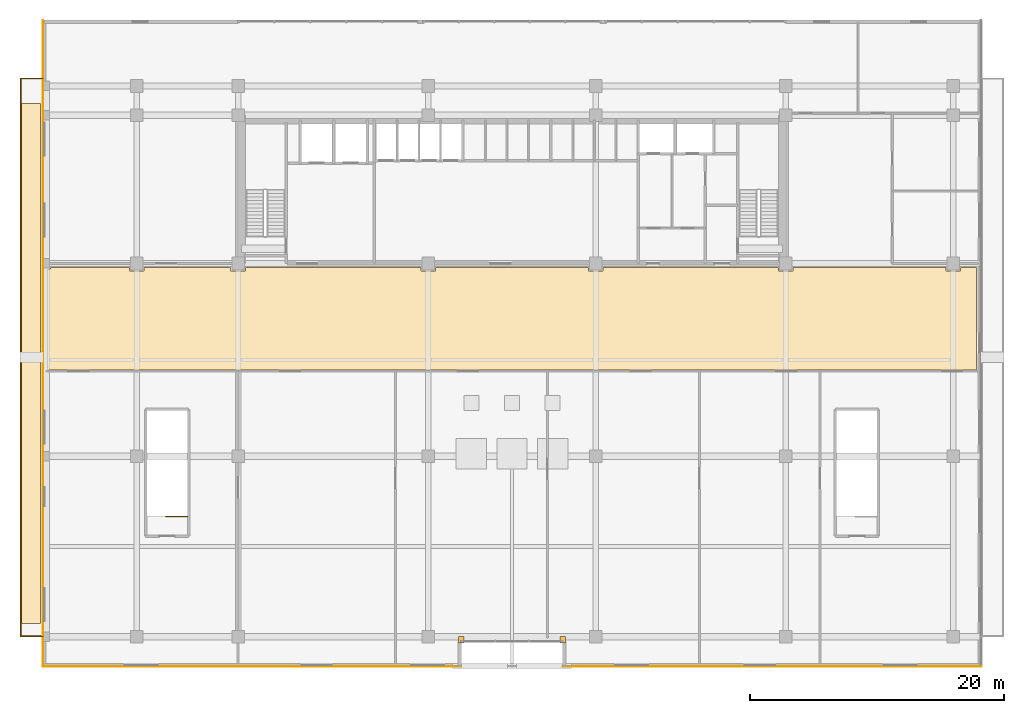
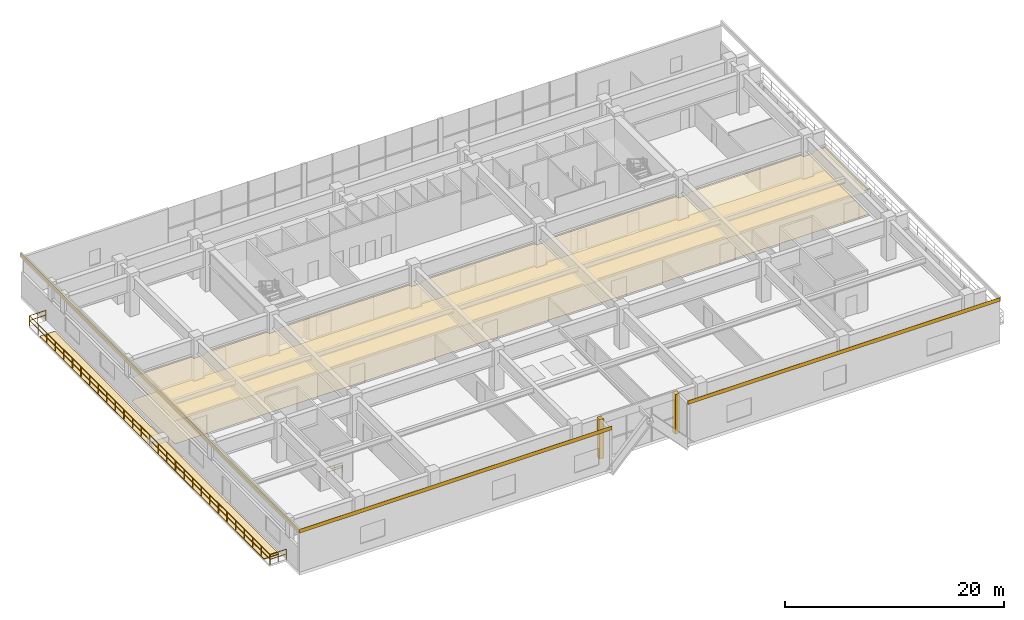
# One storey, part 15 of 17: 8 coverings, 4 railings.
"""IFC4 building model written with IfcOpenShell, lengths in metres."""

import ifcopenshell
import ifcopenshell.guid

model = None  # the IFC model being written
_history = None  # IfcOwnerHistory: only IFC2X3 demands one
_inside = {}  # id of a spatial element -> (the spatial element, [elements in it])
_under = {}  # id of a project, library or spatial element -> (it, [spatial elements below it])
_declared = {}  # id of a project -> (the project, [libraries it declares])
_typed = {}  # id of a type object -> (the type object, [elements of that type])
_made_of = {}  # id of a material, layer set ... -> (it, [elements and type objects made of it])


def new_model(schema):
    """Start an empty IFC model of exactly this schema.

    Asked for "IFC4X3", IfcOpenShell would pick the latest addendum, in which some entities
    have other attributes; the version numbers below select the first issue.
    IFC2X3 requires an IfcOwnerHistory on every rooted entity: one is made here for all.
    """
    global model, _history
    if schema == "IFC4X3":
        model = ifcopenshell.file(schema_version=(4, 3, 0, 0))
    else:
        model = ifcopenshell.file(schema=schema)
    _inside.clear()
    _under.clear()
    _declared.clear()
    _typed.clear()
    _made_of.clear()
    _history = None
    if model.schema == "IFC2X3":
        org = make("IfcOrganization", Name="unknown")
        user = make(
            "IfcPersonAndOrganization",
            ThePerson=make("IfcPerson", FamilyName="unknown"),
            TheOrganization=org,
        )
        app = make(
            "IfcApplication",
            ApplicationDeveloper=org,
            Version="unknown",
            ApplicationFullName="unknown",
            ApplicationIdentifier="unknown",
        )
        _history = make(
            "IfcOwnerHistory",
            OwningUser=user,
            OwningApplication=app,
            ChangeAction="ADDED",
            CreationDate=0,
        )
    return model


def make(cls, **values):
    """One entity of the class cls with the attributes given. An attribute that is None is left unset."""
    return model.create_entity(
        cls, **{name: value for name, value in values.items() if value is not None}
    )


def rooted(cls, **values):
    """An entity with a GlobalId (a new one), such as an element, a storey or a relation."""
    return make(cls, GlobalId=ifcopenshell.guid.new(), OwnerHistory=_history, **values)


def si_unit(unit_type, name, prefix=None):
    """IfcSIUnit, for example si_unit("LENGTHUNIT", "METRE", prefix="MILLI")."""
    return make("IfcSIUnit", UnitType=unit_type, Prefix=prefix, Name=name)


def assignment(units):
    """IfcUnitAssignment: the units of a project."""
    return None if units is None else make("IfcUnitAssignment", Units=units)


def point(xyz):
    """IfcCartesianPoint."""
    return None if xyz is None else make("IfcCartesianPoint", Coordinates=xyz)


def direction(xyz):
    """IfcDirection."""
    return None if xyz is None else make("IfcDirection", DirectionRatios=xyz)


def frame(location, z_axis=None, x_axis=None):
    """IfcAxis2Placement3D, a coordinate frame: its origin and axes. An axis left out is left unset."""
    return make(
        "IfcAxis2Placement3D",
        Location=point(location),
        Axis=direction(z_axis),
        RefDirection=direction(x_axis),
    )


def frame_2d(location, x_axis=None):
    """IfcAxis2Placement2D, a coordinate frame in the plane: its origin and x axis."""
    return make(
        "IfcAxis2Placement2D", Location=point(location), RefDirection=direction(x_axis)
    )


def origin():
    """The frame at (0, 0, 0) with its axes left unset."""
    return frame((0.0, 0.0, 0.0))


def origin_2d():
    """The frame at (0, 0) in the plane with its x axis left unset."""
    return frame_2d((0.0, 0.0))


def place(relative_to, where):
    """IfcLocalPlacement: puts the frame where relative to a parent placement (None: the world)."""
    return make(
        "IfcLocalPlacement", PlacementRelTo=relative_to, RelativePlacement=where
    )


def context(
    kind, dimensions, precision=None, world=None, true_north=None, identifier=None
):
    """IfcGeometricRepresentationContext, for example the 3D "Model" context."""
    return make(
        "IfcGeometricRepresentationContext",
        ContextIdentifier=identifier,
        ContextType=kind,
        CoordinateSpaceDimension=dimensions,
        Precision=precision,
        WorldCoordinateSystem=world,
        TrueNorth=true_north,
    )


def subcontext(parent, identifier, kind, view, scale=None):
    """IfcGeometricRepresentationSubContext, for example "Body" below "Model"."""
    return make(
        "IfcGeometricRepresentationSubContext",
        ContextIdentifier=identifier,
        ContextType=kind,
        ParentContext=parent,
        TargetScale=scale,
        TargetView=view,
    )


def project(units=None, contexts=None):
    """IfcProject with its units and contexts."""
    return rooted(
        "IfcProject",
        Name="project",
        RepresentationContexts=contexts,
        UnitsInContext=assignment(units),
    )


def spatial(cls, under=None, at=None, **own):
    """A site, building, storey or space (cls), placed at a placement, below another one or the project."""
    s = rooted(cls, ObjectPlacement=at, **own)
    if under is not None:
        _under.setdefault(under.id(), (under, []))[1].append(s)
    return s


def polyline(points):
    """IfcPolyline through the points."""
    return make("IfcPolyline", Points=[point(p) for p in points])


def profile(cls, at=None, kind="AREA", **sizes):
    """A parametric profile (cls). Its sizes go by their IFC names, for example OverallWidth=200.0."""
    return make(cls, ProfileType=kind, Position=at, **sizes)


def rectangle(**sizes):
    """IfcRectangleProfileDef."""
    return profile("IfcRectangleProfileDef", **sizes)


def outline(outer, holes=None, kind="AREA"):
    """IfcArbitraryClosedProfileDef: a profile drawn as a closed curve; with holes, ...WithVoids."""
    if holes is None:
        return make("IfcArbitraryClosedProfileDef", ProfileType=kind, OuterCurve=outer)
    return make(
        "IfcArbitraryProfileDefWithVoids",
        ProfileType=kind,
        OuterCurve=outer,
        InnerCurves=holes,
    )


def extrude(swept, where, along, depth):
    """IfcExtrudedAreaSolid: the profile swept, set in the frame where, extruded along a direction by depth."""
    return make(
        "IfcExtrudedAreaSolid",
        SweptArea=swept,
        Position=where,
        ExtrudedDirection=direction(along),
        Depth=depth,
    )


def shape(context_of_items, identifier, shape_type, items):
    """IfcShapeRepresentation: the items that make up one representation, for example the "Body"."""
    return make(
        "IfcShapeRepresentation",
        ContextOfItems=context_of_items,
        RepresentationIdentifier=identifier,
        RepresentationType=shape_type,
        Items=items,
    )


def source(mapping_origin, context_of_items, identifier, shape_type, items):
    """IfcRepresentationMap: a shape defined once, which mapped items show again and again."""
    return make(
        "IfcRepresentationMap",
        MappingOrigin=mapping_origin,
        MappedRepresentation=shape(context_of_items, identifier, shape_type, items),
    )


def transform(
    local_origin,
    x_axis=None,
    y_axis=None,
    z_axis=None,
    scale=None,
    scale2=None,
    scale3=None,
    uniform=True,
):
    """IfcCartesianTransformationOperator3D, or its non-uniform kind. x_axis, y_axis, z_axis: its Axis1, 2, 3."""
    if uniform:
        return make(
            "IfcCartesianTransformationOperator3D",
            Axis1=direction(x_axis),
            Axis2=direction(y_axis),
            LocalOrigin=point(local_origin),
            Scale=scale,
            Axis3=direction(z_axis),
        )
    return make(
        "IfcCartesianTransformationOperator3DnonUniform",
        Axis1=direction(x_axis),
        Axis2=direction(y_axis),
        LocalOrigin=point(local_origin),
        Scale=scale,
        Axis3=direction(z_axis),
        Scale2=scale2,
        Scale3=scale3,
    )


def mapped(mapping_source, mapping_target):
    """IfcMappedItem: shows the shape of a source again, moved by a transform."""
    return make(
        "IfcMappedItem", MappingSource=mapping_source, MappingTarget=mapping_target
    )


def material(Name=None, Category=None):
    """IfcMaterial."""
    return make("IfcMaterial", Name=Name, Category=Category)


def layer(
    of_material, thickness, ventilated=None, Name=None, Category=None, Priority=None
):
    """IfcMaterialLayer: one layer of a wall or slab, of a material (None: an air gap)."""
    return make(
        "IfcMaterialLayer",
        Material=of_material,
        LayerThickness=thickness,
        IsVentilated=ventilated,
        Name=Name,
        Category=Category,
        Priority=Priority,
    )


def layer_set(layers, Name=None):
    """IfcMaterialLayerSet."""
    return make("IfcMaterialLayerSet", MaterialLayers=layers, LayerSetName=Name)


def made_of(thing, what):
    """Note that an element or type object is made of a material, layer set ...; save() writes the relation."""
    if what is not None:
        _made_of.setdefault(what.id(), (what, []))[1].append(thing)
    return thing


def type_object(cls, material=None, **own):
    """A type object (cls), such as IfcWallType, which elements share."""
    return made_of(rooted(cls, **own), material)


def element(
    cls,
    number,
    at=None,
    inside=None,
    cuts=None,
    type_object=None,
    material=None,
    context=None,
    identifier="Body",
    shape_type=None,
    held_by="IfcProductDefinitionShape",
    body=None,
    shapes=None,
    **own,
):
    """One element of the class cls, such as IfcWall. Its Tag is "e" and its number.

    at: its placement. inside: the storey or other place that contains it. cuts: it is an
    opening in that element (IfcRelVoidsElement). A single representation is given by context,
    identifier, shape_type and body (its items); several are given by shapes. held_by: the class
    of the entity that holds the representations. save() writes the other relations.
    """
    e = rooted(cls, Tag="e%d" % number, ObjectPlacement=at, **own)
    if body is not None:
        shapes = [shape(context, identifier, shape_type, body)]
    if shapes is not None:
        e.Representation = make(held_by, Representations=shapes)
    if inside is not None:
        _inside.setdefault(inside.id(), (inside, []))[1].append(e)
    if cuts is not None:
        rooted(
            "IfcRelVoidsElement", RelatingBuildingElement=cuts, RelatedOpeningElement=e
        )
    if type_object is not None:
        _typed.setdefault(type_object.id(), (type_object, []))[1].append(e)
    return made_of(e, material)


def aggregate(whole, parts):
    """IfcRelAggregates: a whole, such as a stair, and the parts it consists of."""
    return rooted("IfcRelAggregates", RelatingObject=whole, RelatedObjects=parts)


def save(model, path):
    """Write the relations noted so far, then the file.

    IfcRelAggregates (storeys below a building ...), IfcRelContainedInSpatialStructure (elements
    in a storey), IfcRelDefinesByType, IfcRelAssociatesMaterial and IfcRelDeclares: one each for
    every whole, place, type object, material and project.
    """
    for whole, parts in _under.values():
        aggregate(whole, parts)
    for where, things in _inside.values():
        rooted(
            "IfcRelContainedInSpatialStructure",
            RelatedElements=things,
            RelatingStructure=where,
        )
    for kind, things in _typed.values():
        rooted("IfcRelDefinesByType", RelatedObjects=things, RelatingType=kind)
    for what, things in _made_of.values():
        rooted("IfcRelAssociatesMaterial", RelatedObjects=things, RelatingMaterial=what)
    for by, libraries in _declared.values():
        rooted("IfcRelDeclares", RelatingContext=by, RelatedDefinitions=libraries)
    model.write(path)


model = new_model("IFC4")

# Units and contexts
model_context = context("Model", 3, precision=1e-05, world=origin(), true_north=direction((0.0, 1.0)))
body_context = subcontext(model_context, "Body", "Model", "MODEL_VIEW")
ifc_project = project(units=[si_unit("LENGTHUNIT", "METRE"), si_unit("AREAUNIT", "SQUARE_METRE"), si_unit("VOLUMEUNIT", "CUBIC_METRE"), si_unit("PLANEANGLEUNIT", "RADIAN"), si_unit("MASSUNIT", "GRAM", prefix="KILO")], contexts=[model_context])

# Site, building, storey
site_placement = place(None, origin())
site = spatial("IfcSite", under=ifc_project, at=site_placement, CompositionType="ELEMENT")
building_placement = place(site_placement, origin())
building = spatial("IfcBuilding", under=site, at=building_placement, Name="Trelvane Seafront Commons", CompositionType="ELEMENT")
storey_placement = place(building_placement, frame((0.0, 0.0, 18.699951171875)))
storey = spatial("IfcBuildingStorey", under=building, at=storey_placement, Name="L04", CompositionType="ELEMENT", Elevation=18.699951171875)

# Coverings
ifc_material_1 = material(Name="Acoustic Mineral Fibre Ceiling")
ifc_layer_1 = layer(ifc_material_1, 0.02490234375, Name="ARCH-COV-CEIL25")
ifc_layer_set_1 = layer_set([ifc_layer_1], Name="Acoustic Mineral Fibre Ceiling")
covering_type_1 = type_object("IfcCoveringType", Name="ARCH-COV-CEIL25", PredefinedType="CEILING", material=ifc_layer_set_1)
covering_1_placement = place(storey_placement, frame((0.0, 0.0, 2.550048828125)))
element("IfcCovering", 1, at=covering_1_placement, inside=storey, type_object=covering_type_1, Name="COV-CEIL-L04-04", PredefinedType="CEILING", context=body_context, shape_type="SweptSolid", body=[
    extrude(outline(polyline([(73.85009765625, 33.0849609375), (72.580078125, 33.0849609375), (72.580078125, 32.820068359375), (71.419921875, 32.820068359375), (71.419921875, 33.0849609375), (59.3798828125, 33.0849609375), (59.3798828125, 32.820068359375), (58.219970703125, 32.820068359375), (58.219970703125, 33.0849609375), (44.3798828125, 33.0849609375), (44.3798828125, 32.820068359375), (43.219970703125, 32.820068359375), (43.219970703125, 33.0849609375), (31.179931640625, 33.0849609375), (31.179931640625, 32.820068359375), (30.02001953125, 32.820068359375), (30.02001953125, 33.0849609375), (16.179931640625, 33.0849609375), (16.179931640625, 32.820068359375), (15.02001953125, 32.820068359375), (15.02001953125, 33.0849609375), (8.179931640625, 33.0849609375), (8.179931640625, 32.820068359375), (7.02001953125, 32.820068359375), (7.02001953125, 33.0849609375), (0.804931640625, 33.0849609375), (0.804931640625, 32.945068359375), (0.550048828125, 32.945068359375), (0.550048828125, 25.0), (73.85009765625, 25.0), (73.85009765625, 33.0849609375)])), origin(), (0.0, 0.0, 1.0), 0.02490234375),
])
ifc_material_2 = material(Name="Polished Terrazzo Finish")
ifc_layer_2 = layer(ifc_material_2, 0.02001953125, Name="ARCH-COV-FLOR20")
ifc_layer_set_2 = layer_set([ifc_layer_2], Name="Polished Terrazzo Finish")
covering_type_2 = type_object("IfcCoveringType", Name="ARCH-COV-FLOR20", PredefinedType="FLOORING", material=ifc_layer_set_2)
covering_2_placement = place(storey_placement, origin())
element("IfcCovering", 2, at=covering_2_placement, inside=storey, type_object=covering_type_2, Name="COV-FLOR-L04-04", PredefinedType="FLOORING", context=body_context, shape_type="SweptSolid", body=[
    extrude(outline(polyline([(73.85009765625, 33.0849609375), (72.580078125, 33.0849609375), (72.580078125, 32.820068359375), (71.419921875, 32.820068359375), (71.419921875, 33.0849609375), (59.3798828125, 33.0849609375), (59.3798828125, 32.820068359375), (58.219970703125, 32.820068359375), (58.219970703125, 33.0849609375), (44.3798828125, 33.0849609375), (44.3798828125, 32.820068359375), (43.219970703125, 32.820068359375), (43.219970703125, 33.0849609375), (31.179931640625, 33.0849609375), (31.179931640625, 32.820068359375), (30.02001953125, 32.820068359375), (30.02001953125, 33.0849609375), (16.179931640625, 33.0849609375), (16.179931640625, 32.820068359375), (15.02001953125, 32.820068359375), (15.02001953125, 33.0849609375), (8.179931640625, 33.0849609375), (8.179931640625, 32.820068359375), (7.02001953125, 32.820068359375), (7.02001953125, 33.0849609375), (0.804931640625, 33.0849609375), (0.804931640625, 32.945068359375), (0.550048828125, 32.945068359375), (0.550048828125, 25.0), (73.85009765625, 25.0), (73.85009765625, 33.0849609375)])), origin(), (0.0, 0.0, 1.0), 0.02001953125),
])
ifc_material_3 = material(Name="Polymer-Modified Bitumen Membrane")
ifc_layer_3 = layer(ifc_material_3, 0.080078125, Name="ARCH-COV-ROOF80")
ifc_layer_set_3 = layer_set([ifc_layer_3], Name="Polymer-Modified Bitumen Membrane")
covering_type_3 = type_object("IfcCoveringType", Name="ARCH-COV-ROOF80", PredefinedType="ROOFING", material=ifc_layer_set_3)
covering_3_placement = place(storey_placement, origin())
element("IfcCovering", 3, at=covering_3_placement, inside=storey, type_object=covering_type_3, Name="COV-ROOF-L04-03", PredefinedType="ROOFING", context=body_context, shape_type="SweptSolid", body=[
    extrude(outline(polyline([(-1.60009765625, 5.0), (0.0, 5.0), (0.0, 46.0), (-1.60009765625, 46.0), (-1.60009765625, 5.0)])), origin(), (0.0, 0.0, 1.0), 0.080078125),
])

# Railings
ifc_material_4 = material(Name="Stainless steel balustrade", Category="steel")
railing_type_1 = type_object("IfcRailingType", Name="ARCH-RAIL-BAL1150", PredefinedType="BALUSTRADE", material=ifc_material_4)
railing_1_placement = place(storey_placement, frame((0.199951171875, 4.0, 0.0)))
element("IfcRailing", 4, at=railing_1_placement, inside=storey, type_object=railing_type_1, Name="RL-L04-TR0-01", PredefinedType="BALUSTRADE", context=body_context, shape_type="SweptSolid", body=[
    extrude(rectangle(XDim=0.048095703125, YDim=0.048095703125, at=origin_2d()), frame((0.0, 0.0, 1.1259765625), z_axis=(-1.0, 0.0, 0.0), x_axis=(0.0, -1.0, 0.0)), (0.0, 0.0, 1.0), 1.739990234375),
    extrude(rectangle(XDim=0.048095703125, YDim=0.048095703125, at=origin_2d()), frame((0.0, 0.0, 0.597900390625), z_axis=(-1.0, 0.0, 0.0), x_axis=(0.0, -1.0, 0.0)), (0.0, 0.0, 1.0), 1.739990234375),
    extrude(rectangle(XDim=0.0419921875, YDim=0.0419921875, at=origin_2d()), origin(), (0.0, 0.0, 1.0), 1.1259765625),
    extrude(rectangle(XDim=0.0419921875, YDim=0.0419921875, at=origin_2d()), frame((-0.8701171875, 0.0, 0.0)), (0.0, 0.0, 1.0), 1.1259765625),
    extrude(rectangle(XDim=0.0419921875, YDim=0.0419921875, at=origin_2d()), frame((-1.739990234375, 0.0, 0.0)), (0.0, 0.0, 1.0), 1.1259765625),
])
railing_2_placement = place(storey_placement, frame((-1.5400390625, 4.0, 0.0)))
element("IfcRailing", 5, at=railing_2_placement, inside=storey, type_object=railing_type_1, Name="RL-L04-TR0-02", PredefinedType="BALUSTRADE", context=body_context, shape_type="SweptSolid", body=[
    extrude(rectangle(XDim=0.048095703125, YDim=0.048095703125, at=origin_2d()), frame((0.0, 0.0, 1.1259765625), z_axis=(0.0, 1.0, 0.0), x_axis=(-1.0, 0.0, 0.0)), (0.0, 0.0, 1.0), 44.0),
    extrude(rectangle(XDim=0.048095703125, YDim=0.048095703125, at=origin_2d()), frame((0.0, 0.0, 0.597900390625), z_axis=(0.0, 1.0, 0.0), x_axis=(-1.0, 0.0, 0.0)), (0.0, 0.0, 1.0), 44.0),
    extrude(rectangle(XDim=0.0419921875, YDim=0.0419921875, at=origin_2d()), origin(), (0.0, 0.0, 1.0), 1.1259765625),
    extrude(rectangle(XDim=0.0419921875, YDim=0.0419921875, at=origin_2d()), frame((0.0, 1.571533203125, 0.0)), (0.0, 0.0, 1.0), 1.1259765625),
    extrude(rectangle(XDim=0.0419921875, YDim=0.0419921875, at=origin_2d()), frame((0.0, 3.142822265625, 0.0)), (0.0, 0.0, 1.0), 1.1259765625),
    extrude(rectangle(XDim=0.0419921875, YDim=0.0419921875, at=origin_2d()), frame((0.0, 4.71435546875, 0.0)), (0.0, 0.0, 1.0), 1.1259765625),
    extrude(rectangle(XDim=0.0419921875, YDim=0.0419921875, at=origin_2d()), frame((0.0, 6.28564453125, 0.0)), (0.0, 0.0, 1.0), 1.1259765625),
    extrude(rectangle(XDim=0.0419921875, YDim=0.0419921875, at=origin_2d()), frame((0.0, 7.857177734375, 0.0)), (0.0, 0.0, 1.0), 1.1259765625),
    extrude(rectangle(XDim=0.0419921875, YDim=0.0419921875, at=origin_2d()), frame((0.0, 9.428466796875, 0.0)), (0.0, 0.0, 1.0), 1.1259765625),
    extrude(rectangle(XDim=0.0419921875, YDim=0.0419921875, at=origin_2d()), frame((0.0, 11.0, 0.0)), (0.0, 0.0, 1.0), 1.1259765625),
    extrude(rectangle(XDim=0.0419921875, YDim=0.0419921875, at=origin_2d()), frame((0.0, 12.571533203125, 0.0)), (0.0, 0.0, 1.0), 1.1259765625),
    extrude(rectangle(XDim=0.0419921875, YDim=0.0419921875, at=origin_2d()), frame((0.0, 14.142822265625, 0.0)), (0.0, 0.0, 1.0), 1.1259765625),
    extrude(rectangle(XDim=0.0419921875, YDim=0.0419921875, at=origin_2d()), frame((0.0, 15.71435546875, 0.0)), (0.0, 0.0, 1.0), 1.1259765625),
    extrude(rectangle(XDim=0.0419921875, YDim=0.0419921875, at=origin_2d()), frame((0.0, 17.28564453125, 0.0)), (0.0, 0.0, 1.0), 1.1259765625),
    extrude(rectangle(XDim=0.0419921875, YDim=0.0419921875, at=origin_2d()), frame((0.0, 18.857177734375, 0.0)), (0.0, 0.0, 1.0), 1.1259765625),
    extrude(rectangle(XDim=0.0419921875, YDim=0.0419921875, at=origin_2d()), frame((0.0, 20.428466796875, 0.0)), (0.0, 0.0, 1.0), 1.1259765625),
    extrude(rectangle(XDim=0.0419921875, YDim=0.0419921875, at=origin_2d()), frame((0.0, 22.0, 0.0)), (0.0, 0.0, 1.0), 1.1259765625),
    extrude(rectangle(XDim=0.0419921875, YDim=0.0419921875, at=origin_2d()), frame((0.0, 23.571533203125, 0.0)), (0.0, 0.0, 1.0), 1.1259765625),
    extrude(rectangle(XDim=0.0419921875, YDim=0.0419921875, at=origin_2d()), frame((0.0, 25.142822265625, 0.0)), (0.0, 0.0, 1.0), 1.1259765625),
    extrude(rectangle(XDim=0.0419921875, YDim=0.0419921875, at=origin_2d()), frame((0.0, 26.71435546875, 0.0)), (0.0, 0.0, 1.0), 1.1259765625),
    extrude(rectangle(XDim=0.0419921875, YDim=0.0419921875, at=origin_2d()), frame((0.0, 28.28564453125, 0.0)), (0.0, 0.0, 1.0), 1.1259765625),
    extrude(rectangle(XDim=0.0419921875, YDim=0.0419921875, at=origin_2d()), frame((0.0, 29.857177734375, 0.0)), (0.0, 0.0, 1.0), 1.1259765625),
    extrude(rectangle(XDim=0.0419921875, YDim=0.0419921875, at=origin_2d()), frame((0.0, 31.428466796875, 0.0)), (0.0, 0.0, 1.0), 1.1259765625),
    extrude(rectangle(XDim=0.0419921875, YDim=0.0419921875, at=origin_2d()), frame((0.0, 33.0, 0.0)), (0.0, 0.0, 1.0), 1.1259765625),
    extrude(rectangle(XDim=0.0419921875, YDim=0.0419921875, at=origin_2d()), frame((0.0, 34.571533203125, 0.0)), (0.0, 0.0, 1.0), 1.1259765625),
    extrude(rectangle(XDim=0.0419921875, YDim=0.0419921875, at=origin_2d()), frame((0.0, 36.142822265625, 0.0)), (0.0, 0.0, 1.0), 1.1259765625),
    extrude(rectangle(XDim=0.0419921875, YDim=0.0419921875, at=origin_2d()), frame((0.0, 37.71435546875, 0.0)), (0.0, 0.0, 1.0), 1.1259765625),
    extrude(rectangle(XDim=0.0419921875, YDim=0.0419921875, at=origin_2d()), frame((0.0, 39.28564453125, 0.0)), (0.0, 0.0, 1.0), 1.1259765625),
    extrude(rectangle(XDim=0.0419921875, YDim=0.0419921875, at=origin_2d()), frame((0.0, 40.857177734375, 0.0)), (0.0, 0.0, 1.0), 1.1259765625),
    extrude(rectangle(XDim=0.0419921875, YDim=0.0419921875, at=origin_2d()), frame((0.0, 42.428466796875, 0.0)), (0.0, 0.0, 1.0), 1.1259765625),
    extrude(rectangle(XDim=0.0419921875, YDim=0.0419921875, at=origin_2d()), frame((0.0, 44.0, 0.0)), (0.0, 0.0, 1.0), 1.1259765625),
])
railing_3_placement = place(storey_placement, frame((-1.5400390625, 48.0, 0.0)))
element("IfcRailing", 6, at=railing_3_placement, inside=storey, type_object=railing_type_1, Name="RL-L04-TR0-03", PredefinedType="BALUSTRADE", context=body_context, shape_type="SweptSolid", body=[
    extrude(rectangle(XDim=0.048095703125, YDim=0.048095703125, at=origin_2d()), frame((0.0, 0.0, 1.1259765625), z_axis=(1.0, 0.0, 0.0), x_axis=(0.0, 1.0, 0.0)), (0.0, 0.0, 1.0), 1.739990234375),
    extrude(rectangle(XDim=0.048095703125, YDim=0.048095703125, at=origin_2d()), frame((0.0, 0.0, 0.597900390625), z_axis=(1.0, 0.0, 0.0), x_axis=(0.0, 1.0, 0.0)), (0.0, 0.0, 1.0), 1.739990234375),
    extrude(rectangle(XDim=0.0419921875, YDim=0.0419921875, at=origin_2d()), origin(), (0.0, 0.0, 1.0), 1.1259765625),
    extrude(rectangle(XDim=0.0419921875, YDim=0.0419921875, at=origin_2d()), frame((0.8701171875, 0.0, 0.0)), (0.0, 0.0, 1.0), 1.1259765625),
    extrude(rectangle(XDim=0.0419921875, YDim=0.0419921875, at=origin_2d()), frame((1.739990234375, 0.0, 0.0)), (0.0, 0.0, 1.0), 1.1259765625),
])
railing_type_2 = type_object("IfcRailingType", Name="ARCH-SRL-GUARD", PredefinedType="GUARDRAIL", material=ifc_material_4)
railing_4_placement = place(storey_placement, frame((11.60009765625, 13.449951171875, 0.0)))
element("IfcRailing", 7, at=railing_4_placement, inside=storey, type_object=railing_type_2, Name="L04 ST-3 top well guard 1", PredefinedType="GUARDRAIL", context=body_context, shape_type="SweptSolid", body=[
    extrude(rectangle(XDim=0.048095703125, YDim=0.048095703125, at=origin_2d()), frame((0.0, 0.0, 1.076171875), z_axis=(-1.0, 0.0, 0.0), x_axis=(0.0, -1.0, 0.0)), (0.0, 0.0, 1.0), 1.7001953125),
    extrude(rectangle(XDim=0.048095703125, YDim=0.048095703125, at=origin_2d()), frame((0.0, 0.0, 0.572021484375), z_axis=(-1.0, 0.0, 0.0), x_axis=(0.0, -1.0, 0.0)), (0.0, 0.0, 1.0), 1.7001953125),
    extrude(rectangle(XDim=0.0419921875, YDim=0.0419921875, at=origin_2d()), origin(), (0.0, 0.0, 1.0), 1.076171875),
    extrude(rectangle(XDim=0.0419921875, YDim=0.0419921875, at=origin_2d()), frame((-0.85009765625, 0.0, 0.0)), (0.0, 0.0, 1.0), 1.076171875),
    extrude(rectangle(XDim=0.0419921875, YDim=0.0419921875, at=origin_2d()), frame((-1.7001953125, 0.0, 0.0)), (0.0, 0.0, 1.0), 1.076171875),
])

# Coverings
ifc_material_5 = material(Name="Anodised pale-silver aluminium", Category="aluminium")
ifc_layer_4 = layer(ifc_material_5, 0.034912109375, Name="ARCH-COV-CLAD35")
ifc_layer_set_4 = layer_set([ifc_layer_4], Name="Anodised pale-silver aluminium")
covering_type_4 = type_object("IfcCoveringType", Name="ARCH-COV-CLAD35", PredefinedType="CLADDING", material=ifc_layer_set_4)
shared_shape_1 = source(origin(), body_context, "Body", "SweptSolid", [
    extrude(rectangle(XDim=51.0, YDim=0.034912109375, at=origin_2d()), origin(), (0.0, 0.0, 1.0), 0.419921875),
])
covering_4_placement = place(storey_placement, frame((0.199951171875, 27.10009765625, 4.380126953125), z_axis=(0.0, 0.0, 1.0), x_axis=(0.0, 1.0, 0.0)))
element("IfcCovering", 8, at=covering_4_placement, inside=storey, type_object=covering_type_4, Name="CLD-L04-00038", PredefinedType="CLADDING", context=body_context, shape_type="MappedRepresentation", body=[
    mapped(shared_shape_1, transform((0.0, 0.0, 0.0), x_axis=(1.0, 0.0, 0.0), y_axis=(0.0, 1.0, 0.0), z_axis=(0.0, 0.0, 1.0), scale=1.0)),
])
shared_shape_2 = source(origin(), body_context, "Body", "SweptSolid", [
    extrude(rectangle(XDim=33.0, YDim=0.034912109375, at=origin_2d()), origin(), (0.0, 0.0, 1.0), 0.419921875),
])
for number, where, z_axis, x_axis, name in (
    (9, (57.699951171875, 1.60009765625, 4.380126953125), (0.0, 0.0, 1.0), (-1.0, 0.0, 0.0), "CLD-L04-00034"),
    (10, (16.699951171875, 1.60009765625, 4.380126953125), (0.0, 0.0, 1.0), (-1.0, 0.0, 0.0), "CLD-L04-00037"),
):
    element("IfcCovering", number, at=place(storey_placement, frame(where, z_axis=z_axis, x_axis=x_axis)), inside=storey, type_object=covering_type_4, Name=name, PredefinedType="CLADDING", context=body_context, shape_type="MappedRepresentation", body=[
        mapped(shared_shape_2, transform((0.0, 0.0, 0.0), x_axis=(1.0, 0.0, 0.0), y_axis=(0.0, 1.0, 0.0), z_axis=(0.0, 0.0, 1.0), scale=1.0)),
    ])
shared_shape_3 = source(origin(), body_context, "Body", "SweptSolid", [
    extrude(rectangle(XDim=0.449951171875, YDim=0.5, at=origin_2d()), origin(), (0.0, 0.0, 1.0), 4.419921875),
])
for number, where, z_axis, x_axis, name in (
    (11, (41.199951171875, 3.719970703125, 0.0), (0.0, 0.0, 1.0), (1.0, 0.0, 0.0), "CLD-VPC-L04-00035"),
    (12, (33.199951171875, 3.719970703125, 0.0), (0.0, 0.0, 1.0), (1.0, 0.0, 0.0), "CLD-VPC-L04-00036"),
):
    element("IfcCovering", number, at=place(storey_placement, frame(where, z_axis=z_axis, x_axis=x_axis)), inside=storey, type_object=covering_type_4, Name=name, PredefinedType="CLADDING", context=body_context, shape_type="MappedRepresentation", body=[
        mapped(shared_shape_3, transform((0.0, 0.0, 0.0), x_axis=(1.0, 0.0, 0.0), y_axis=(0.0, 1.0, 0.0), z_axis=(0.0, 0.0, 1.0), scale=1.0)),
    ])

save(model, "model.ifc")
